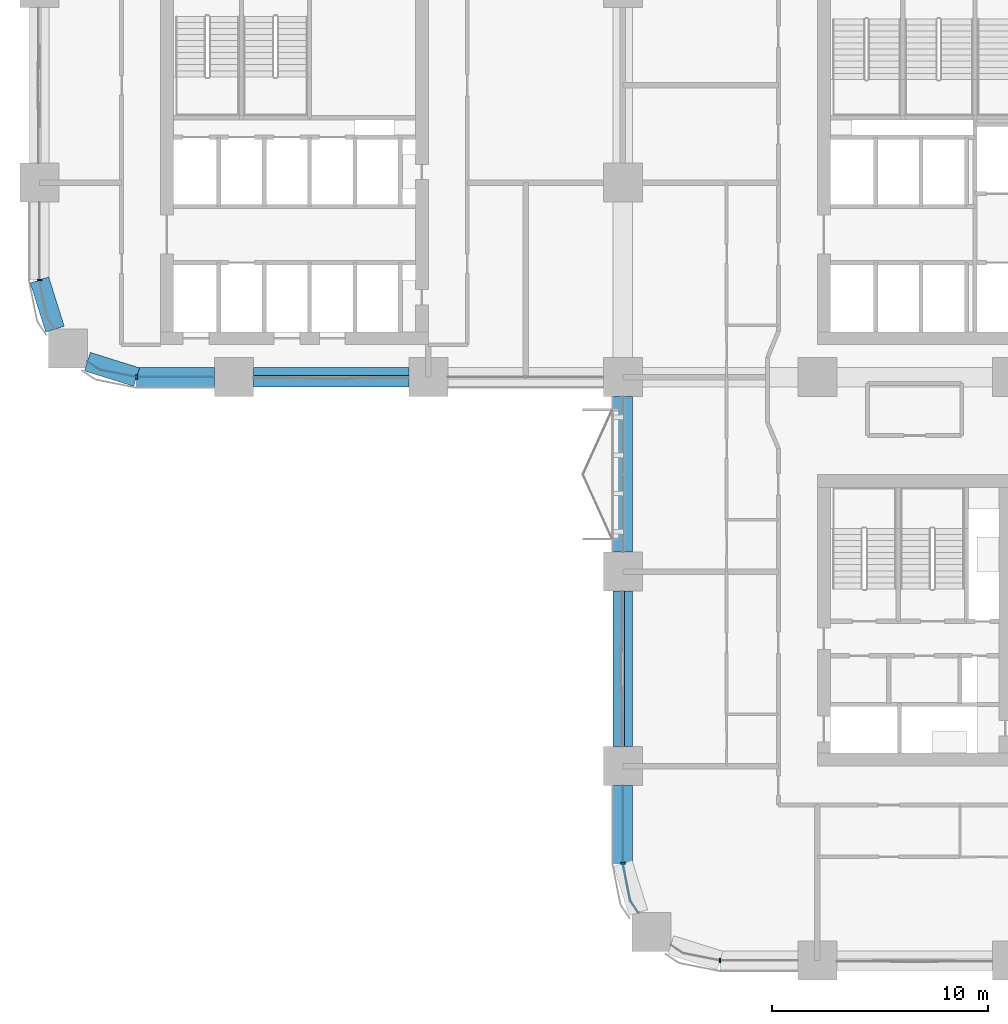
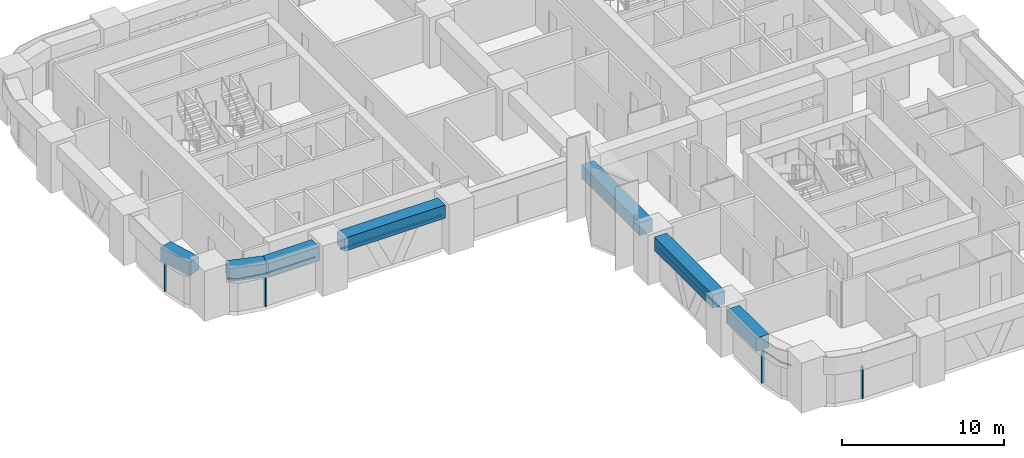
# One storey, part 2 of 18: 8 members, 7 beams, 6 elements without a shape of their own.
"""IFC4 building model written with IfcOpenShell, lengths in metres."""

from ifc_helpers import new_model, si_unit, direction, frame, origin, origin_2d, place, context, subcontext, project, spatial, polyline, rectangle, outline, extrude, material, material_profile, profile_set, type_object, element, aggregate, save


model = new_model("IFC4")

# Units and contexts
model_context = context("Model", 3, precision=1e-05, world=origin(), true_north=direction((0.0, 1.0)))
body_context = subcontext(model_context, "Body", "Model", "MODEL_VIEW")
ifc_project = project(units=[si_unit("LENGTHUNIT", "METRE"), si_unit("AREAUNIT", "SQUARE_METRE"), si_unit("VOLUMEUNIT", "CUBIC_METRE"), si_unit("PLANEANGLEUNIT", "RADIAN"), si_unit("MASSUNIT", "GRAM", prefix="KILO")], contexts=[model_context])

# Site, building, storey
site_placement = place(None, origin())
site = spatial("IfcSite", under=ifc_project, at=site_placement, CompositionType="ELEMENT")
building_placement = place(site_placement, origin())
building = spatial("IfcBuilding", under=site, at=building_placement, Name="Tessera Arch", CompositionType="ELEMENT")
storey_placement = place(building_placement, frame((0.0, 0.0, 100.60009765625)))
storey = spatial("IfcBuildingStorey", under=building, at=storey_placement, Name="L23", CompositionType="ELEMENT", Elevation=100.60009765625)

# Curtain wall, member
ifc_material_1 = material(Name="CW2 curtain wall")
curtain_wall_type_1 = type_object("IfcCurtainWallType", Name="CW2 curtain wall", PredefinedType="NOTDEFINED", material=ifc_material_1)
curtain_wall_1_placement = place(storey_placement, origin())
curtain_wall_1 = element("IfcCurtainWall", 1, at=curtain_wall_1_placement, inside=storey, type_object=curtain_wall_type_1, Name="CW2 curtain wall W0.27/2 L23", PredefinedType="NOTDEFINED")
ifc_material_2 = material(Name="Anodised aluminium pale metal", Category="aluminium")
ifc_material_profile_1 = material_profile(ifc_material_2, rectangle(XDim=0.199951171875, YDim=0.080078125, at=origin_2d()), Name="AL 80x200")
ifc_profile_set_1 = profile_set([ifc_material_profile_1], Name="Anodised aluminium pale metal")
member_type_1 = type_object("IfcMemberType", Name="CW2 mullion", PredefinedType="MULLION", material=ifc_profile_set_1)
member_1_placement = place(storey_placement, frame((0.0, 31.5, 0.0), z_axis=(0.0, 0.0, 1.0), x_axis=(1.0, 0.0, 0.0)))
member_1 = element("IfcMember", 2, at=member_1_placement, type_object=member_type_1, Name="CW2 mullion W0.27/2 1", PredefinedType="MULLION", context=body_context, shape_type="SweptSolid", body=[
    extrude(rectangle(XDim=0.199951171875, YDim=0.080078125, at=origin_2d()), origin(), (0.0, 0.0, 1.0), 2.39990234375),
])
aggregate(curtain_wall_1, [member_1])

curtain_wall_2_placement = place(storey_placement, origin())
curtain_wall_2 = element("IfcCurtainWall", 3, at=curtain_wall_2_placement, inside=storey, type_object=curtain_wall_type_1, Name="CW2 curtain wall S27.0/0 L23", PredefinedType="NOTDEFINED")
member_2_placement = place(storey_placement, frame((4.5, 27.0, 0.0), z_axis=(0.0, 0.0, 1.0), x_axis=(0.0, 1.0, 0.0)))
member_2 = element("IfcMember", 4, at=member_2_placement, type_object=member_type_1, Name="CW2 mullion S27.0/0 1", PredefinedType="MULLION", context=body_context, shape_type="SweptSolid", body=[
    extrude(rectangle(XDim=0.199951171875, YDim=0.080078125, at=origin_2d()), origin(), (0.0, 0.0, 1.0), 2.39990234375),
])

curtain_wall_3_placement = place(storey_placement, origin())
curtain_wall_3 = element("IfcCurtainWall", 5, at=curtain_wall_3_placement, inside=storey, type_object=curtain_wall_type_1, Name="CW2 curtain wall W27.0/2 L23", PredefinedType="NOTDEFINED")
member_3_placement = place(storey_placement, frame((27.0, 4.5, 0.0), z_axis=(0.0, 0.0, 1.0), x_axis=(1.0, 0.0, 0.0)))
member_3 = element("IfcMember", 6, at=member_3_placement, type_object=member_type_1, Name="CW2 mullion W27.0/2 1", PredefinedType="MULLION", context=body_context, shape_type="SweptSolid", body=[
    extrude(rectangle(XDim=0.199951171875, YDim=0.080078125, at=origin_2d()), origin(), (0.0, 0.0, 1.0), 2.39990234375),
])

curtain_wall_4_placement = place(storey_placement, origin())
curtain_wall_4 = element("IfcCurtainWall", 7, at=curtain_wall_4_placement, inside=storey, type_object=curtain_wall_type_1, Name="CW2 curtain wall S0.27/0 L23", PredefinedType="NOTDEFINED")
member_4_placement = place(storey_placement, frame((31.5, 0.0, 0.0), z_axis=(0.0, 0.0, 1.0), x_axis=(0.0, 1.0, 0.0)))
member_4 = element("IfcMember", 8, at=member_4_placement, type_object=member_type_1, Name="CW2 mullion S0.27/0 1", PredefinedType="MULLION", context=body_context, shape_type="SweptSolid", body=[
    extrude(rectangle(XDim=0.199951171875, YDim=0.080078125, at=origin_2d()), origin(), (0.0, 0.0, 1.0), 2.39990234375),
])
aggregate(curtain_wall_4, [member_4])

# Member
ifc_material_3 = material(Name="Anodised aluminium pale metal", Category="aluminium")
ifc_material_profile_2 = material_profile(ifc_material_3, rectangle(XDim=0.199951171875, YDim=0.10009765625, at=origin_2d()), Name="AL 200x100")
ifc_profile_set_2 = profile_set([ifc_material_profile_2], Name="Anodised aluminium pale metal")
member_type_2 = type_object("IfcMemberType", Name="CW2 transom", PredefinedType="USERDEFINED", material=ifc_profile_set_2)
member_5_placement = place(storey_placement, frame((0.0, 0.0, 2.39990234375)))
member_5 = element("IfcMember", 9, at=member_5_placement, type_object=member_type_2, Name="CW2 transom S27.0/0 1", ObjectType="TRANSOM", PredefinedType="USERDEFINED", context=body_context, shape_type="SweptSolid", body=[
    extrude(outline(polyline([(2.78173828125, 27.351806640625), (2.2236328125, 27.72509765625), (2.21240234375, 27.70849609375), (2.77392578125, 27.3330078125), (4.4990234375, 26.989990234375), (8.10009765625, 26.989990234375), (8.10009765625, 27.010009765625), (4.5009765625, 27.010009765625), (2.78173828125, 27.351806640625)])), origin(), (0.0, 0.0, 1.0), 0.10009765625),
])

aggregate(curtain_wall_2, [member_2, member_5])

member_6_placement = place(storey_placement, frame((0.0, 0.0, 2.39990234375)))
member_6 = element("IfcMember", 10, at=member_6_placement, type_object=member_type_2, Name="CW2 transom W27.0/2 1", ObjectType="TRANSOM", PredefinedType="USERDEFINED", context=body_context, shape_type="SweptSolid", body=[
    extrude(outline(polyline([(27.010009765625, 4.5009765625), (27.010009765625, 8.10009765625), (26.989990234375, 8.10009765625), (26.989990234375, 4.4990234375), (27.3330078125, 2.77392578125), (27.70849609375, 2.21240234375), (27.72509765625, 2.2236328125), (27.351806640625, 2.78173828125), (27.010009765625, 4.5009765625)])), origin(), (0.0, 0.0, 1.0), 0.10009765625),
])

aggregate(curtain_wall_3, [member_3, member_6])

# Curtain wall, member
ifc_material_4 = material(Name="CW3 curtain wall")
curtain_wall_type_2 = type_object("IfcCurtainWallType", Name="CW3 curtain wall", PredefinedType="NOTDEFINED", material=ifc_material_4)
curtain_wall_5_placement = place(storey_placement, origin())
curtain_wall_5 = element("IfcCurtainWall", 11, at=curtain_wall_5_placement, inside=storey, type_object=curtain_wall_type_2, Name="CW3 curtain wall S27.0/1 L23", PredefinedType="NOTDEFINED")
ifc_material_5 = material(Name="Anodised aluminium pale metal", Category="aluminium")
ifc_material_profile_3 = material_profile(ifc_material_5, rectangle(XDim=0.139892578125, YDim=0.10009765625, at=origin_2d()), Name="AL 140x100")
ifc_profile_set_3 = profile_set([ifc_material_profile_3], Name="Anodised aluminium pale metal")
member_type_3 = type_object("IfcMemberType", Name="CW3 transom", PredefinedType="USERDEFINED", material=ifc_profile_set_3)
member_7_placement = place(storey_placement, frame((9.89990234375, 27.0, 2.449951171875), z_axis=(1.0, 0.0, 0.0), x_axis=(0.0, 1.0, 0.0)))
member_7 = element("IfcMember", 12, at=member_7_placement, type_object=member_type_3, Name="CW3 transom S27.0/1 1.1", ObjectType="TRANSOM", PredefinedType="USERDEFINED", context=body_context, shape_type="SweptSolid", body=[
    extrude(rectangle(XDim=0.139892578125, YDim=0.10009765625, at=origin_2d()), origin(), (0.0, 0.0, 1.0), 7.2001953125),
])
aggregate(curtain_wall_5, [member_7])

curtain_wall_6_placement = place(storey_placement, origin())
curtain_wall_6 = element("IfcCurtainWall", 13, at=curtain_wall_6_placement, inside=storey, type_object=curtain_wall_type_2, Name="CW3 curtain wall W27.0/1 L23", PredefinedType="NOTDEFINED")
member_8_placement = place(storey_placement, frame((27.0, 17.10009765625, 2.449951171875), z_axis=(0.0, -1.0, 0.0), x_axis=(1.0, 0.0, 0.0)))
member_8 = element("IfcMember", 14, at=member_8_placement, type_object=member_type_3, Name="CW3 transom W27.0/1 1.1", ObjectType="TRANSOM", PredefinedType="USERDEFINED", context=body_context, shape_type="SweptSolid", body=[
    extrude(rectangle(XDim=0.139892578125, YDim=0.10009765625, at=origin_2d()), origin(), (0.0, 0.0, 1.0), 7.2001953125),
])
aggregate(curtain_wall_6, [member_8])

# Beams
ifc_material_6 = material(Name="Concrete C80/95", Category="concrete")
ifc_material_profile_4 = material_profile(ifc_material_6, rectangle(XDim=0.89990234375, YDim=1.0, at=origin_2d()), Name="RC spandrel beam 900 x 1000 Concrete C80/95")
ifc_profile_set_4 = profile_set([ifc_material_profile_4], Name="Concrete C80/95")
beam_type = type_object("IfcBeamType", Name="RC spandrel beam 900 x 1000 Concrete C80/95", PredefinedType="BEAM", material=ifc_profile_set_4)
for number, where, z_axis, x_axis, name in (
    (15, (0.0, 31.5, 3.0), (0.299675309057, -0.954041251279, 0.0), (0.954041251279, 0.299675309057, 0.0), "Spandrel beam L23 W0.27/2.2"),
    (16, (2.218017578125, 27.716796875, 3.0), (0.954041251279, -0.299675309057, 0.0), (0.299675309057, 0.954041251279, 0.0), "Spandrel beam L23 S27.0/0.1"),
):
    element("IfcBeam", number, at=place(storey_placement, frame(where, z_axis=z_axis, x_axis=x_axis)), inside=storey, type_object=beam_type, Name=name, PredefinedType="BEAM", context=body_context, shape_type="SweptSolid", body=[
        extrude(rectangle(XDim=0.89990234375, YDim=1.0, at=origin_2d()), origin(), (0.0, 0.0, 1.0), 2.391845703125),
    ])
beam_1_placement = place(storey_placement, frame((4.5, 27.0, 3.0), z_axis=(1.0, 0.0, 0.0), x_axis=(0.0, 1.0, 0.0)))
element("IfcBeam", 17, at=beam_1_placement, inside=storey, type_object=beam_type, Name="Spandrel beam L23 S27.0/0.2", PredefinedType="BEAM", context=body_context, shape_type="SweptSolid", body=[
    extrude(rectangle(XDim=0.89990234375, YDim=1.0, at=origin_2d()), origin(), (0.0, 0.0, 1.0), 3.60009765625),
])
for number, where, z_axis, x_axis, name in (
    (18, (9.89990234375, 27.0, 3.0), (1.0, 0.0, 0.0), (0.0, 1.0, 0.0), "Spandrel beam L23 S27.0/1"),
    (19, (27.0, 26.10009765625, 3.0), (0.0, -1.0, 0.0), (1.0, 0.0, 0.0), "Spandrel beam L23 W27.0/0"),
    (20, (27.0, 17.10009765625, 3.0), (0.0, -1.0, 0.0), (1.0, 0.0, 0.0), "Spandrel beam L23 W27.0/1"),
):
    element("IfcBeam", number, at=place(storey_placement, frame(where, z_axis=z_axis, x_axis=x_axis)), inside=storey, type_object=beam_type, Name=name, PredefinedType="BEAM", context=body_context, shape_type="SweptSolid", body=[
        extrude(rectangle(XDim=0.89990234375, YDim=1.0, at=origin_2d()), origin(), (0.0, 0.0, 1.0), 7.2001953125),
    ])
beam_2_placement = place(storey_placement, frame((27.0, 8.10009765625, 3.0), z_axis=(0.0, -1.0, 0.0), x_axis=(1.0, 0.0, 0.0)))
element("IfcBeam", 21, at=beam_2_placement, inside=storey, type_object=beam_type, Name="Spandrel beam L23 W27.0/2.1", PredefinedType="BEAM", context=body_context, shape_type="SweptSolid", body=[
    extrude(rectangle(XDim=0.89990234375, YDim=1.0, at=origin_2d()), origin(), (0.0, 0.0, 1.0), 3.60009765625),
])

save(model, "model.ifc")
